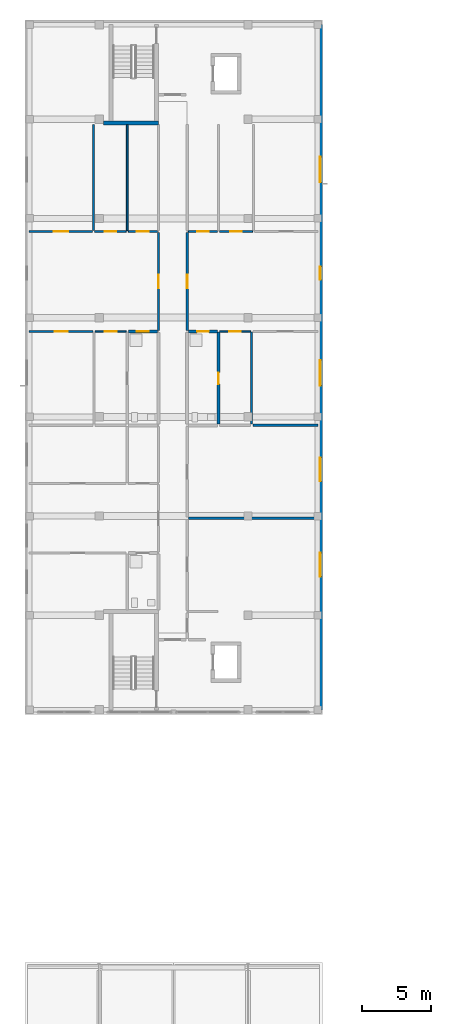
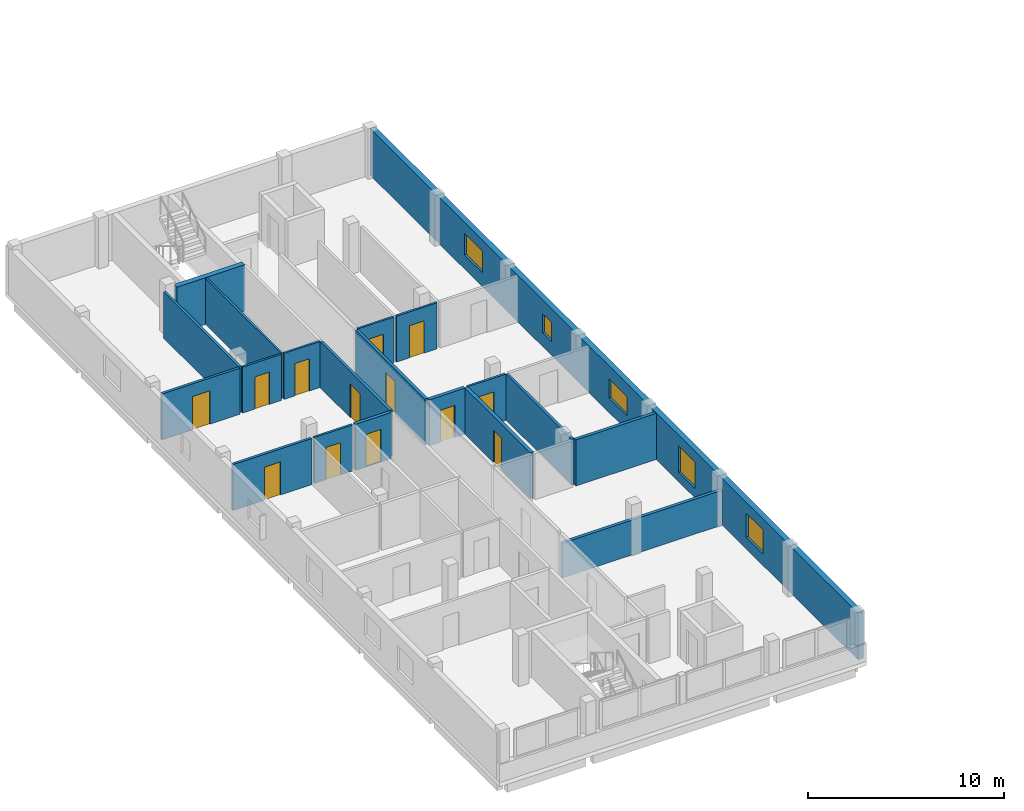
# One storey, part 13 of 35: 20 walls, 13 doors, 5 windows, 18 openings.
"""IFC4 building model written with IfcOpenShell, lengths in metres."""

from ifc_helpers import new_model, si_unit, derived_unit, direction, frame, frame_2d, origin, place, context, subcontext, project, spatial, rectangle, extrude, material, layer, layer_set, type_object, element, fill, save


model = new_model("IFC4")

# Units and contexts
model_context = context("Model", 3, precision=1e-05, world=origin(), true_north=direction((0.0, 1.0)))
body_context = subcontext(model_context, "Body", "Model", "MODEL_VIEW")
ifc_project = project(units=[si_unit("LENGTHUNIT", "METRE"), si_unit("AREAUNIT", "SQUARE_METRE"), si_unit("VOLUMEUNIT", "CUBIC_METRE"), si_unit("PLANEANGLEUNIT", "RADIAN"), si_unit("MASSUNIT", "GRAM", prefix="KILO"), derived_unit("THERMALTRANSMITTANCEUNIT", [(si_unit("MASSUNIT", "GRAM", prefix="KILO"), 1), (si_unit("TIMEUNIT", "SECOND"), -3), (si_unit("THERMODYNAMICTEMPERATUREUNIT", "KELVIN"), -1)])], contexts=[model_context])

# Site, building, storey
site_placement = place(None, origin())
site = spatial("IfcSite", under=ifc_project, at=site_placement, CompositionType="ELEMENT")
building_placement = place(site_placement, origin())
building = spatial("IfcBuilding", under=site, at=building_placement, Name="Ochrekiln Boulevard Commons", CompositionType="ELEMENT")
storey_placement = place(building_placement, frame((0.0, 0.0, 30.97509765625)))
storey = spatial("IfcBuildingStorey", under=building, at=storey_placement, Name="L09", CompositionType="ELEMENT", Elevation=30.97509765625)

# Wall, openings, windows
ifc_material_1 = material(Name="Desert ochre clinker brick masonry ASTM C216 Grade SW", Category="masonry")
ifc_layer_1 = layer(ifc_material_1, 0.320068359375)
ifc_layer_set_1 = layer_set([ifc_layer_1], Name="Desert ochre clinker brick masonry ASTM C216 Grade SW")
wall_type_1 = type_object("IfcWallType", Name="WL-EXT-OCHRE-320", PredefinedType="SOLIDWALL", material=ifc_layer_set_1)
wall_1_placement = place(storey_placement, frame((21.43994140625, 68.719970703125, 0.0), z_axis=(0.0, 0.0, 1.0), x_axis=(0.0, 1.0, 0.0)))
wall_1 = element("IfcWall", 1, at=wall_1_placement, inside=storey, type_object=wall_type_1, Name="Block A L09 E Exterior Wall", PredefinedType="SOLIDWALL", context=body_context, shape_type="SweptSolid", body=[
    extrude(rectangle(XDim=49.760009765625, YDim=0.320068359375, at=frame_2d((24.8798828125, 0.0))), origin(), (0.0, 0.0, 1.0), 2.89990234375),
])
opening_1_placement = place(wall_1_placement, frame((9.68505859375, 0.0, 0.715087890625)))
opening_1 = element("IfcOpeningElement", 2, at=opening_1_placement, cuts=wall_1, Name="Opening W-38", PredefinedType="OPENING", context=body_context, shape_type="SweptSolid", body=[
    extrude(rectangle(XDim=1.719970703125, YDim=1.5, at=frame_2d((0.85986328125, 0.75))), frame((0.0, 0.169921875, 0.0), z_axis=(0.0, -1.0, 0.0), x_axis=(1.0, 0.0, 0.0)), (0.0, 0.0, 1.0), 0.340087890625),
])
opening_2_placement = place(wall_1_placement, frame((16.597900390625, 0.0, 0.56494140625)))
opening_2 = element("IfcOpeningElement", 3, at=opening_2_placement, cuts=wall_1, Name="Opening W-39", PredefinedType="OPENING", context=body_context, shape_type="SweptSolid", body=[
    extrude(rectangle(XDim=1.719970703125, YDim=1.64990234375, at=frame_2d((0.85986328125, 0.824951171875))), frame((0.0, 0.169921875, 0.0), z_axis=(0.0, -1.0, 0.0), x_axis=(1.0, 0.0, 0.0)), (0.0, 0.0, 1.0), 0.340087890625),
])
opening_3_placement = place(wall_1_placement, frame((31.22509765625, 0.0, 0.85009765625)))
opening_3 = element("IfcOpeningElement", 4, at=opening_3_placement, cuts=wall_1, Name="Opening W-01", PredefinedType="OPENING", context=body_context, shape_type="SweptSolid", body=[
    extrude(rectangle(XDim=0.949951171875, YDim=1.199951171875, at=frame_2d((0.47509765625, 0.60009765625))), frame((0.0, 0.169921875, 0.0), z_axis=(0.0, -1.0, 0.0), x_axis=(1.0, 0.0, 0.0)), (0.0, 0.0, 1.0), 0.340087890625),
])
opening_4_placement = place(wall_1_placement, frame((23.552001953125, 0.0, 0.89990234375)))
opening_4 = element("IfcOpeningElement", 5, at=opening_4_placement, cuts=wall_1, Name="Opening W-41", PredefinedType="OPENING", context=body_context, shape_type="SweptSolid", body=[
    extrude(rectangle(XDim=1.85009765625, YDim=1.199951171875, at=frame_2d((0.925048828125, 0.60009765625))), frame((0.0, 0.169921875, 0.0), z_axis=(0.0, -1.0, 0.0), x_axis=(1.0, 0.0, 0.0)), (0.0, 0.0, 1.0), 0.340087890625),
])
opening_5_placement = place(wall_1_placement, frame((38.2900390625, 0.0, 0.864990234375)))
opening_5 = element("IfcOpeningElement", 6, at=opening_5_placement, cuts=wall_1, Name="Opening W-42", PredefinedType="OPENING", context=body_context, shape_type="SweptSolid", body=[
    extrude(rectangle(XDim=1.85009765625, YDim=1.35009765625, at=frame_2d((0.925048828125, 0.675048828125))), frame((0.0, 0.169921875, 0.0), z_axis=(0.0, -1.0, 0.0), x_axis=(1.0, 0.0, 0.0)), (0.0, 0.0, 1.0), 0.340087890625),
])
ifc_material_2 = material(Name="Thermally broken aluminium-clad oak frame", Category="aluminium")
window_type_1 = type_object("IfcWindowType", Name="WIN-EXT-01", PartitioningType="SINGLE_PANEL", PredefinedType="WINDOW", material=ifc_material_2)
window_1_placement = place(opening_3_placement, origin())
window_1 = element("IfcWindow", 7, at=window_1_placement, inside=storey, type_object=window_type_1, Name="Block A L09 Punched Masonry Window W-01", OverallHeight=1.199951171875, OverallWidth=0.949951171875, PartitioningType="SINGLE_PANEL", PredefinedType="WINDOW", context=body_context, shape_type="SweptSolid", body=[
    extrude(rectangle(XDim=0.949951171875, YDim=1.199951171875, at=frame_2d((0.47509765625, 0.60009765625))), frame((0.0, 0.030029296875, 0.0), z_axis=(0.0, -1.0, 0.0), x_axis=(1.0, 0.0, 0.0)), (0.0, 0.0, 1.0), 0.06005859375),
])
fill(opening_3, window_1)
window_type_2 = type_object("IfcWindowType", Name="WIN-EXT-38", PartitioningType="DOUBLE_PANEL_VERTICAL", PredefinedType="WINDOW", material=ifc_material_2)
window_2_placement = place(opening_1_placement, origin())
window_2 = element("IfcWindow", 8, at=window_2_placement, inside=storey, type_object=window_type_2, Name="Block A L09 Punched Masonry Window W-38", OverallHeight=1.5, OverallWidth=1.719970703125, PartitioningType="DOUBLE_PANEL_VERTICAL", PredefinedType="WINDOW", context=body_context, shape_type="SweptSolid", body=[
    extrude(rectangle(XDim=1.719970703125, YDim=1.5, at=frame_2d((0.85986328125, 0.75))), frame((0.0, 0.030029296875, 0.0), z_axis=(0.0, -1.0, 0.0), x_axis=(1.0, 0.0, 0.0)), (0.0, 0.0, 1.0), 0.06005859375),
])
fill(opening_1, window_2)
window_type_3 = type_object("IfcWindowType", Name="WIN-EXT-39", PartitioningType="DOUBLE_PANEL_VERTICAL", PredefinedType="WINDOW", material=ifc_material_2)
window_3_placement = place(opening_2_placement, origin())
window_3 = element("IfcWindow", 9, at=window_3_placement, inside=storey, type_object=window_type_3, Name="Block A L09 Punched Masonry Window W-39", OverallHeight=1.64990234375, OverallWidth=1.719970703125, PartitioningType="DOUBLE_PANEL_VERTICAL", PredefinedType="WINDOW", context=body_context, shape_type="SweptSolid", body=[
    extrude(rectangle(XDim=1.719970703125, YDim=1.64990234375, at=frame_2d((0.85986328125, 0.824951171875))), frame((0.0, 0.030029296875, 0.0), z_axis=(0.0, -1.0, 0.0), x_axis=(1.0, 0.0, 0.0)), (0.0, 0.0, 1.0), 0.06005859375),
])
fill(opening_2, window_3)
window_type_4 = type_object("IfcWindowType", Name="WIN-EXT-41", PartitioningType="DOUBLE_PANEL_VERTICAL", PredefinedType="WINDOW", material=ifc_material_2)
window_4_placement = place(opening_4_placement, origin())
window_4 = element("IfcWindow", 10, at=window_4_placement, inside=storey, type_object=window_type_4, Name="Block A L09 Punched Masonry Window W-41", OverallHeight=1.199951171875, OverallWidth=1.85009765625, PartitioningType="DOUBLE_PANEL_VERTICAL", PredefinedType="WINDOW", context=body_context, shape_type="SweptSolid", body=[
    extrude(rectangle(XDim=1.85009765625, YDim=1.199951171875, at=frame_2d((0.925048828125, 0.60009765625))), frame((0.0, 0.030029296875, 0.0), z_axis=(0.0, -1.0, 0.0), x_axis=(1.0, 0.0, 0.0)), (0.0, 0.0, 1.0), 0.06005859375),
])
fill(opening_4, window_4)
window_type_5 = type_object("IfcWindowType", Name="WIN-EXT-42", PartitioningType="DOUBLE_PANEL_VERTICAL", PredefinedType="WINDOW", material=ifc_material_2)
window_5_placement = place(opening_5_placement, origin())
window_5 = element("IfcWindow", 11, at=window_5_placement, inside=storey, type_object=window_type_5, Name="Block A L09 Punched Masonry Window W-42", OverallHeight=1.35009765625, OverallWidth=1.85009765625, PartitioningType="DOUBLE_PANEL_VERTICAL", PredefinedType="WINDOW", context=body_context, shape_type="SweptSolid", body=[
    extrude(rectangle(XDim=1.85009765625, YDim=1.35009765625, at=frame_2d((0.925048828125, 0.675048828125))), frame((0.0, 0.030029296875, 0.0), z_axis=(0.0, -1.0, 0.0), x_axis=(1.0, 0.0, 0.0)), (0.0, 0.0, 1.0), 0.06005859375),
])
fill(opening_5, window_5)

# Wall, opening, door
ifc_material_3 = material(Name="Moisture-resistant cementitious tile backer wall")
ifc_layer_2 = layer(ifc_material_3, 0.199951171875)
ifc_layer_set_2 = layer_set([ifc_layer_2], Name="Moisture-resistant cementitious tile backer wall")
wall_type_2 = type_object("IfcWallType", Name="WL-PLM-200", PredefinedType="PLUMBINGWALL", material=ifc_layer_set_2)
wall_2_placement = place(storey_placement, frame((7.52001953125, 96.2041015625, 0.0), z_axis=(0.0, 0.0, 1.0), x_axis=(1.0, 0.0, 0.0)))
wall_2 = element("IfcWall", 12, at=wall_2_placement, inside=storey, type_object=wall_type_2, Name="L09 Interior Wall W-PW200", PredefinedType="PLUMBINGWALL", context=body_context, shape_type="SweptSolid", body=[
    extrude(rectangle(XDim=2.10791015625, YDim=0.199951171875, at=frame_2d((1.053955078125, 0.0))), origin(), (0.0, 0.0, 1.0), 2.869873046875),
])
opening_6_placement = place(wall_2_placement, frame((0.60498046875, 0.0, 0.0)))
opening_6 = element("IfcOpeningElement", 13, at=opening_6_placement, cuts=wall_2, Name="Opening D-L09-1108", PredefinedType="OPENING", context=body_context, shape_type="SweptSolid", body=[
    extrude(rectangle(XDim=0.889892578125, YDim=2.030029296875, at=frame_2d((0.44482421875, 1.01513671875))), frame((0.0, 0.10986328125, 0.0), z_axis=(0.0, -1.0, 0.0), x_axis=(1.0, 0.0, 0.0)), (0.0, 0.0, 1.0), 0.219970703125),
])
ifc_material_4 = material(Name="Solid core architectural oak door leaf")
door_type_1 = type_object("IfcDoorType", Name="DR-INT-BTH-089", OperationType="NOTDEFINED", PredefinedType="DOOR", material=ifc_material_4)
door_1_placement = place(opening_6_placement, frame((0.889892578125, 0.0, 0.0), z_axis=(0.0, 0.0, 1.0), x_axis=(-1.0, 0.0, 0.0)))
door_1 = element("IfcDoor", 14, at=door_1_placement, inside=storey, type_object=door_type_1, Name="L09 Interior Door to Apartment Bathroom", OperationType="SINGLE_SWING_RIGHT", OverallHeight=2.030029296875, OverallWidth=0.889892578125, PredefinedType="DOOR", context=body_context, shape_type="SweptSolid", body=[
    extrude(rectangle(XDim=0.889892578125, YDim=2.030029296875, at=frame_2d((0.44482421875, 1.01513671875))), frame((0.0, 0.02490234375, 0.0), z_axis=(0.0, -1.0, 0.0), x_axis=(1.0, 0.0, 0.0)), (0.0, 0.0, 1.0), 0.050048828125),
])
fill(opening_6, door_1)

wall_3_placement = place(storey_placement, frame((11.8720703125, 96.2041015625, 0.0), z_axis=(0.0, 0.0, 1.0), x_axis=(1.0, 0.0, 0.0)))
wall_3 = element("IfcWall", 15, at=wall_3_placement, inside=storey, type_object=wall_type_2, Name="L09 Interior Wall W-PW200", PredefinedType="PLUMBINGWALL", context=body_context, shape_type="SweptSolid", body=[
    extrude(rectangle(XDim=2.10791015625, YDim=0.199951171875, at=frame_2d((1.053955078125, 0.0))), origin(), (0.0, 0.0, 1.0), 2.869873046875),
])
opening_7_placement = place(wall_3_placement, frame((0.6279296875, 0.0, 0.0)))
opening_7 = element("IfcOpeningElement", 16, at=opening_7_placement, cuts=wall_3, Name="Opening D-L09-1115", PredefinedType="OPENING", context=body_context, shape_type="SweptSolid", body=[
    extrude(rectangle(XDim=0.860107421875, YDim=2.0, at=frame_2d((0.43017578125, 1.0))), frame((0.0, 0.10986328125, 0.0), z_axis=(0.0, -1.0, 0.0), x_axis=(1.0, 0.0, 0.0)), (0.0, 0.0, 1.0), 0.219970703125),
])
door_type_2 = type_object("IfcDoorType", Name="DR-INT-BTH-086", OperationType="NOTDEFINED", PredefinedType="DOOR", material=ifc_material_4)
door_2_placement = place(opening_7_placement, frame((0.860107421875, 0.0, 0.0), z_axis=(0.0, 0.0, 1.0), x_axis=(-1.0, 0.0, 0.0)))
door_2 = element("IfcDoor", 17, at=door_2_placement, inside=storey, type_object=door_type_2, Name="L09 Interior Door to Apartment Bathroom", OperationType="SINGLE_SWING_LEFT", OverallHeight=2.0, OverallWidth=0.860107421875, PredefinedType="DOOR", context=body_context, shape_type="SweptSolid", body=[
    extrude(rectangle(XDim=0.860107421875, YDim=2.0, at=frame_2d((0.43017578125, 1.0))), frame((0.0, 0.02490234375, 0.0), z_axis=(0.0, -1.0, 0.0), x_axis=(1.0, 0.0, 0.0)), (0.0, 0.0, 1.0), 0.050048828125),
])
fill(opening_7, door_2)

wall_4_placement = place(storey_placement, frame((14.06005859375, 89.466064453125, 0.0), z_axis=(0.0, 0.0, 1.0), x_axis=(0.0, 1.0, 0.0)))
wall_4 = element("IfcWall", 18, at=wall_4_placement, inside=storey, type_object=wall_type_2, Name="L09 Interior Wall W-PW200", PredefinedType="PLUMBINGWALL", context=body_context, shape_type="SweptSolid", body=[
    extrude(rectangle(XDim=6.677978515625, YDim=0.199951171875, at=frame_2d((3.3388671875, 0.0))), origin(), (0.0, 0.0, 1.0), 2.869873046875),
])
opening_8_placement = place(wall_4_placement, frame((2.904052734375, 0.0, 0.0)))
opening_8 = element("IfcOpeningElement", 19, at=opening_8_placement, cuts=wall_4, Name="Opening D-L09-1121", PredefinedType="OPENING", context=body_context, shape_type="SweptSolid", body=[
    extrude(rectangle(XDim=0.85009765625, YDim=2.010009765625, at=frame_2d((0.425048828125, 1.0048828125))), frame((0.0, 0.10986328125, 0.0), z_axis=(0.0, -1.0, 0.0), x_axis=(1.0, 0.0, 0.0)), (0.0, 0.0, 1.0), 0.219970703125),
])
door_type_3 = type_object("IfcDoorType", Name="DR-INT-KIT-085", OperationType="NOTDEFINED", PredefinedType="DOOR", material=ifc_material_4)
door_3_placement = place(opening_8_placement, origin())
door_3 = element("IfcDoor", 20, at=door_3_placement, inside=storey, type_object=door_type_3, Name="L09 Interior Door to Apartment Bathroom", OperationType="SINGLE_SWING_LEFT", OverallHeight=2.010009765625, OverallWidth=0.85009765625, PredefinedType="DOOR", context=body_context, shape_type="SweptSolid", body=[
    extrude(rectangle(XDim=0.85009765625, YDim=2.010009765625, at=frame_2d((0.425048828125, 1.0048828125))), frame((0.0, 0.02490234375, 0.0), z_axis=(0.0, -1.0, 0.0), x_axis=(1.0, 0.0, 0.0)), (0.0, 0.0, 1.0), 0.050048828125),
])
fill(opening_8, door_3)

ifc_material_5 = material(Name="Fire-rated Type X gypsum board on steel studs", Category="steel")
ifc_layer_3 = layer(ifc_material_5, 0.1650390625)
ifc_layer_set_3 = layer_set([ifc_layer_3], Name="Fire-rated Type X gypsum board on steel studs")
wall_type_3 = type_object("IfcWallType", Name="WL-PT-CORR-165", PredefinedType="PARTITIONING", material=ifc_layer_set_3)
wall_5_placement = place(storey_placement, frame((9.7099609375, 96.283935546875, 0.0), z_axis=(0.0, 0.0, 1.0), x_axis=(0.0, 1.0, 0.0)))
wall_5 = element("IfcWall", 21, at=wall_5_placement, inside=storey, type_object=wall_type_3, Name="L09 Interior Wall W-PC165", PredefinedType="PARTITIONING", context=body_context, shape_type="SweptSolid", body=[
    extrude(rectangle(XDim=7.086181640625, YDim=0.1650390625, at=frame_2d((3.54296875, 0.0))), origin(), (0.0, 0.0, 1.0), 2.869873046875),
])
opening_9_placement = place(wall_5_placement, frame((3.052978515625, 0.0, 0.0)))
opening_9 = element("IfcOpeningElement", 22, at=opening_9_placement, cuts=wall_5, Name="Opening D-L09-1100", PredefinedType="OPENING", context=body_context, shape_type="SweptSolid", body=[
    extrude(rectangle(XDim=0.97998046875, YDim=2.080078125, at=frame_2d((0.489990234375, 1.0400390625))), frame((0.0, 0.092529296875, 0.0), z_axis=(0.0, -1.0, 0.0), x_axis=(1.0, 0.0, 0.0)), (0.0, 0.0, 1.0), 0.18505859375),
])
door_type_4 = type_object("IfcDoorType", Name="DR-APT-60", OperationType="NOTDEFINED", PredefinedType="DOOR", material=ifc_material_4)
door_4_placement = place(opening_9_placement, origin())
door_4 = element("IfcDoor", 23, at=door_4_placement, inside=storey, type_object=door_type_4, Name="L09 Interior Door to Two-Bedroom Apartment Living Room", OperationType="SINGLE_SWING_RIGHT", OverallHeight=2.080078125, OverallWidth=0.97998046875, PredefinedType="DOOR", context=body_context, shape_type="SweptSolid", body=[
    extrude(rectangle(XDim=0.97998046875, YDim=2.080078125, at=frame_2d((0.489990234375, 1.0400390625))), frame((0.0, 0.02490234375, 0.0), z_axis=(0.0, -1.0, 0.0), x_axis=(1.0, 0.0, 0.0)), (0.0, 0.0, 1.0), 0.050048828125),
])
fill(opening_9, door_4)

wall_6_placement = place(storey_placement, frame((11.7900390625, 96.283935546875, 0.0), z_axis=(0.0, 0.0, 1.0), x_axis=(0.0, 1.0, 0.0)))
wall_6 = element("IfcWall", 24, at=wall_6_placement, inside=storey, type_object=wall_type_3, Name="L09 Interior Wall W-PC165", PredefinedType="PARTITIONING", context=body_context, shape_type="SweptSolid", body=[
    extrude(rectangle(XDim=7.086181640625, YDim=0.1650390625, at=frame_2d((3.54296875, 0.0))), origin(), (0.0, 0.0, 1.0), 2.869873046875),
])
opening_10_placement = place(wall_6_placement, frame((3.052978515625, 0.0, 0.0)))
opening_10 = element("IfcOpeningElement", 25, at=opening_10_placement, cuts=wall_6, Name="Opening D-L09-1103", PredefinedType="OPENING", context=body_context, shape_type="SweptSolid", body=[
    extrude(rectangle(XDim=0.97998046875, YDim=2.080078125, at=frame_2d((0.489990234375, 1.0400390625))), frame((0.0, 0.092529296875, 0.0), z_axis=(0.0, -1.0, 0.0), x_axis=(1.0, 0.0, 0.0)), (0.0, 0.0, 1.0), 0.18505859375),
])
door_5_placement = place(opening_10_placement, frame((0.97998046875, 0.0, 0.0), z_axis=(0.0, 0.0, 1.0), x_axis=(-1.0, 0.0, 0.0)))
door_5 = element("IfcDoor", 26, at=door_5_placement, inside=storey, type_object=door_type_4, Name="L09 Interior Door to Two-Bedroom Apartment Living Room", OperationType="SINGLE_SWING_LEFT", OverallHeight=2.080078125, OverallWidth=0.97998046875, PredefinedType="DOOR", context=body_context, shape_type="SweptSolid", body=[
    extrude(rectangle(XDim=0.97998046875, YDim=2.080078125, at=frame_2d((0.489990234375, 1.0400390625))), frame((0.0, 0.02490234375, 0.0), z_axis=(0.0, -1.0, 0.0), x_axis=(1.0, 0.0, 0.0)), (0.0, 0.0, 1.0), 0.050048828125),
])
fill(opening_10, door_5)

# Walls
ifc_layer_4 = layer(ifc_material_5, 0.179931640625)
ifc_layer_set_4 = layer_set([ifc_layer_4], Name="Fire-rated Type X gypsum board on steel studs")
wall_type_4 = type_object("IfcWallType", Name="WL-PT-DEM-180", PredefinedType="PARTITIONING", material=ifc_layer_set_4)
wall_7_placement = place(storey_placement, frame((11.8720703125, 82.64306640625, 0.0), z_axis=(0.0, 0.0, 1.0), x_axis=(1.0, 0.0, 0.0)))
element("IfcWall", 27, at=wall_7_placement, inside=storey, type_object=wall_type_4, Name="L09 Interior Wall W-PD180", PredefinedType="PARTITIONING", context=body_context, shape_type="SweptSolid", body=[
    extrude(rectangle(XDim=9.407958984375, YDim=0.179931640625, at=frame_2d((4.7041015625, 0.0))), origin(), (0.0, 0.0, 1.0), 2.169921875),
])
wall_8_placement = place(storey_placement, frame((16.550048828125, 89.3759765625, 0.0), z_axis=(0.0, 0.0, 1.0), x_axis=(1.0, 0.0, 0.0)))
element("IfcWall", 28, at=wall_8_placement, inside=storey, type_object=wall_type_4, Name="L09 Interior Wall W-PD180", PredefinedType="PARTITIONING", context=body_context, shape_type="SweptSolid", body=[
    extrude(rectangle(XDim=4.72998046875, YDim=0.179931640625, at=frame_2d((2.364990234375, 0.0))), origin(), (0.0, 0.0, 1.0), 2.869873046875),
])

# Wall, opening, door
ifc_layer_5 = layer(ifc_material_5, 0.1201171875)
ifc_layer_set_5 = layer_set([ifc_layer_5], Name="Fire-rated Type X gypsum board on steel studs")
wall_type_5 = type_object("IfcWallType", Name="WL-PT-LGT-120", PredefinedType="PARTITIONING", material=ifc_layer_set_5)
wall_9_placement = place(storey_placement, frame((7.52001953125, 103.449951171875, 0.0), z_axis=(0.0, 0.0, 1.0), x_axis=(1.0, 0.0, 0.0)))
wall_9 = element("IfcWall", 29, at=wall_9_placement, inside=storey, type_object=wall_type_5, Name="L09 Interior Wall W-PL120", PredefinedType="PARTITIONING", context=body_context, shape_type="SweptSolid", body=[
    extrude(rectangle(XDim=2.10791015625, YDim=0.1201171875, at=frame_2d((1.053955078125, 0.0))), origin(), (0.0, 0.0, 1.0), 2.869873046875),
])
opening_11_placement = place(wall_9_placement, frame((0.625, 0.0, 0.0)))
opening_11 = element("IfcOpeningElement", 30, at=opening_11_placement, cuts=wall_9, Name="Opening D-L09-1109", PredefinedType="OPENING", context=body_context, shape_type="SweptSolid", body=[
    extrude(rectangle(XDim=0.85009765625, YDim=2.010009765625, at=frame_2d((0.425048828125, 1.0048828125))), frame((0.0, 0.070068359375, 0.0), z_axis=(0.0, -1.0, 0.0), x_axis=(1.0, 0.0, 0.0)), (0.0, 0.0, 1.0), 0.14013671875),
])
door_6_placement = place(opening_11_placement, origin())
door_6 = element("IfcDoor", 31, at=door_6_placement, inside=storey, type_object=door_type_3, Name="L09 Interior Door to Apartment Kitchen", OperationType="SINGLE_SWING_LEFT", OverallHeight=2.010009765625, OverallWidth=0.85009765625, PredefinedType="DOOR", context=body_context, shape_type="SweptSolid", body=[
    extrude(rectangle(XDim=0.85009765625, YDim=2.010009765625, at=frame_2d((0.425048828125, 1.0048828125))), frame((0.0, 0.02490234375, 0.0), z_axis=(0.0, -1.0, 0.0), x_axis=(1.0, 0.0, 0.0)), (0.0, 0.0, 1.0), 0.050048828125),
])
fill(opening_11, door_6)

wall_10_placement = place(storey_placement, frame((5.110107421875, 96.2041015625, 0.0), z_axis=(0.0, 0.0, 1.0), x_axis=(1.0, 0.0, 0.0)))
wall_10 = element("IfcWall", 32, at=wall_10_placement, inside=storey, type_object=wall_type_5, Name="L09 Interior Wall W-PL120", PredefinedType="PARTITIONING", context=body_context, shape_type="SweptSolid", body=[
    extrude(rectangle(XDim=2.25, YDim=0.1201171875, at=frame_2d((1.125, 0.0))), origin(), (0.0, 0.0, 1.0), 2.869873046875),
])
opening_12_placement = place(wall_10_placement, frame((0.699951171875, 0.0, 0.0)))
opening_12 = element("IfcOpeningElement", 33, at=opening_12_placement, cuts=wall_10, Name="Opening D-L09-1111", PredefinedType="OPENING", context=body_context, shape_type="SweptSolid", body=[
    extrude(rectangle(XDim=0.85009765625, YDim=2.010009765625, at=frame_2d((0.425048828125, 1.0048828125))), frame((0.0, 0.070068359375, 0.0), z_axis=(0.0, -1.0, 0.0), x_axis=(1.0, 0.0, 0.0)), (0.0, 0.0, 1.0), 0.14013671875),
])
door_7_placement = place(opening_12_placement, frame((0.85009765625, 0.0, 0.0), z_axis=(0.0, 0.0, 1.0), x_axis=(-1.0, 0.0, 0.0)))
door_7 = element("IfcDoor", 34, at=door_7_placement, inside=storey, type_object=door_type_3, Name="L09 Interior Door to Apartment Walk-In Wardrobe", OperationType="SINGLE_SWING_LEFT", OverallHeight=2.010009765625, OverallWidth=0.85009765625, PredefinedType="DOOR", context=body_context, shape_type="SweptSolid", body=[
    extrude(rectangle(XDim=0.85009765625, YDim=2.010009765625, at=frame_2d((0.425048828125, 1.0048828125))), frame((0.0, 0.02490234375, 0.0), z_axis=(0.0, -1.0, 0.0), x_axis=(1.0, 0.0, 0.0)), (0.0, 0.0, 1.0), 0.050048828125),
])
fill(opening_12, door_7)

wall_11_placement = place(storey_placement, frame((5.072998046875, 103.449951171875, 0.0), z_axis=(0.0, 0.0, 1.0), x_axis=(1.0, 0.0, 0.0)))
wall_11 = element("IfcWall", 35, at=wall_11_placement, inside=storey, type_object=wall_type_5, Name="L09 Interior Wall W-PL120", PredefinedType="PARTITIONING", context=body_context, shape_type="SweptSolid", body=[
    extrude(rectangle(XDim=2.287109375, YDim=0.1201171875, at=frame_2d((1.1435546875, 0.0))), origin(), (0.0, 0.0, 1.0), 2.869873046875),
])
opening_13_placement = place(wall_11_placement, frame((0.718017578125, 0.0, 0.0)))
opening_13 = element("IfcOpeningElement", 36, at=opening_13_placement, cuts=wall_11, Name="Opening D-L09-1113", PredefinedType="OPENING", context=body_context, shape_type="SweptSolid", body=[
    extrude(rectangle(XDim=0.85009765625, YDim=2.010009765625, at=frame_2d((0.425048828125, 1.0048828125))), frame((0.0, 0.070068359375, 0.0), z_axis=(0.0, -1.0, 0.0), x_axis=(1.0, 0.0, 0.0)), (0.0, 0.0, 1.0), 0.14013671875),
])
door_8_placement = place(opening_13_placement, origin())
door_8 = element("IfcDoor", 37, at=door_8_placement, inside=storey, type_object=door_type_3, Name="L09 Interior Door to Apartment Walk-In Wardrobe", OperationType="SINGLE_SWING_LEFT", OverallHeight=2.010009765625, OverallWidth=0.85009765625, PredefinedType="DOOR", context=body_context, shape_type="SweptSolid", body=[
    extrude(rectangle(XDim=0.85009765625, YDim=2.010009765625, at=frame_2d((0.425048828125, 1.0048828125))), frame((0.0, 0.02490234375, 0.0), z_axis=(0.0, -1.0, 0.0), x_axis=(1.0, 0.0, 0.0)), (0.0, 0.0, 1.0), 0.050048828125),
])
fill(opening_13, door_8)

# Wall
wall_12_placement = place(storey_placement, frame((7.43994140625, 103.510009765625, 0.0), z_axis=(0.0, 0.0, 1.0), x_axis=(0.0, 1.0, 0.0)))
element("IfcWall", 38, at=wall_12_placement, inside=storey, type_object=wall_type_5, Name="L09 Interior Wall W-PL120", PredefinedType="PARTITIONING", context=body_context, shape_type="SweptSolid", body=[
    extrude(rectangle(XDim=7.68994140625, YDim=0.1201171875, at=frame_2d((3.844970703125, 0.0))), origin(), (0.0, 0.0, 1.0), 2.869873046875),
])

# Wall, opening, door
wall_13_placement = place(storey_placement, frame((11.8720703125, 103.449951171875, 0.0), z_axis=(0.0, 0.0, 1.0), x_axis=(1.0, 0.0, 0.0)))
wall_13 = element("IfcWall", 39, at=wall_13_placement, inside=storey, type_object=wall_type_5, Name="L09 Interior Wall W-PL120", PredefinedType="PARTITIONING", context=body_context, shape_type="SweptSolid", body=[
    extrude(rectangle(XDim=2.10791015625, YDim=0.1201171875, at=frame_2d((1.053955078125, 0.0))), origin(), (0.0, 0.0, 1.0), 2.869873046875),
])
opening_14_placement = place(wall_13_placement, frame((0.633056640625, 0.0, 0.0)))
opening_14 = element("IfcOpeningElement", 40, at=opening_14_placement, cuts=wall_13, Name="Opening D-L09-1116", PredefinedType="OPENING", context=body_context, shape_type="SweptSolid", body=[
    extrude(rectangle(XDim=0.85009765625, YDim=2.010009765625, at=frame_2d((0.425048828125, 1.0048828125))), frame((0.0, 0.070068359375, 0.0), z_axis=(0.0, -1.0, 0.0), x_axis=(1.0, 0.0, 0.0)), (0.0, 0.0, 1.0), 0.14013671875),
])
door_9_placement = place(opening_14_placement, origin())
door_9 = element("IfcDoor", 41, at=door_9_placement, inside=storey, type_object=door_type_3, Name="L09 Interior Door to Apartment Kitchen", OperationType="SINGLE_SWING_RIGHT", OverallHeight=2.010009765625, OverallWidth=0.85009765625, PredefinedType="DOOR", context=body_context, shape_type="SweptSolid", body=[
    extrude(rectangle(XDim=0.85009765625, YDim=2.010009765625, at=frame_2d((0.425048828125, 1.0048828125))), frame((0.0, 0.02490234375, 0.0), z_axis=(0.0, -1.0, 0.0), x_axis=(1.0, 0.0, 0.0)), (0.0, 0.0, 1.0), 0.050048828125),
])
fill(opening_14, door_9)

wall_14_placement = place(storey_placement, frame((14.139892578125, 96.2041015625, 0.0), z_axis=(0.0, 0.0, 1.0), x_axis=(1.0, 0.0, 0.0)))
wall_14 = element("IfcWall", 42, at=wall_14_placement, inside=storey, type_object=wall_type_5, Name="L09 Interior Wall W-PL120", PredefinedType="PARTITIONING", context=body_context, shape_type="SweptSolid", body=[
    extrude(rectangle(XDim=2.25, YDim=0.1201171875, at=frame_2d((1.125, 0.0))), origin(), (0.0, 0.0, 1.0), 2.869873046875),
])
opening_15_placement = place(wall_14_placement, frame((0.699951171875, 0.0, 0.0)))
opening_15 = element("IfcOpeningElement", 43, at=opening_15_placement, cuts=wall_14, Name="Opening D-L09-1118", PredefinedType="OPENING", context=body_context, shape_type="SweptSolid", body=[
    extrude(rectangle(XDim=0.85009765625, YDim=2.010009765625, at=frame_2d((0.425048828125, 1.0048828125))), frame((0.0, 0.070068359375, 0.0), z_axis=(0.0, -1.0, 0.0), x_axis=(1.0, 0.0, 0.0)), (0.0, 0.0, 1.0), 0.14013671875),
])
door_10_placement = place(opening_15_placement, frame((0.85009765625, 0.0, 0.0), z_axis=(0.0, 0.0, 1.0), x_axis=(-1.0, 0.0, 0.0)))
door_10 = element("IfcDoor", 44, at=door_10_placement, inside=storey, type_object=door_type_3, Name="L09 Interior Door to Apartment Walk-In Wardrobe", OperationType="SINGLE_SWING_RIGHT", OverallHeight=2.010009765625, OverallWidth=0.85009765625, PredefinedType="DOOR", context=body_context, shape_type="SweptSolid", body=[
    extrude(rectangle(XDim=0.85009765625, YDim=2.010009765625, at=frame_2d((0.425048828125, 1.0048828125))), frame((0.0, 0.02490234375, 0.0), z_axis=(0.0, -1.0, 0.0), x_axis=(1.0, 0.0, 0.0)), (0.0, 0.0, 1.0), 0.050048828125),
])
fill(opening_15, door_10)

wall_15_placement = place(storey_placement, frame((14.139892578125, 103.449951171875, 0.0), z_axis=(0.0, 0.0, 1.0), x_axis=(1.0, 0.0, 0.0)))
wall_15 = element("IfcWall", 45, at=wall_15_placement, inside=storey, type_object=wall_type_5, Name="L09 Interior Wall W-PL120", PredefinedType="PARTITIONING", context=body_context, shape_type="SweptSolid", body=[
    extrude(rectangle(XDim=2.38720703125, YDim=0.1201171875, at=frame_2d((1.193603515625, 0.0))), origin(), (0.0, 0.0, 1.0), 2.869873046875),
])
opening_16_placement = place(wall_15_placement, frame((0.76904296875, 0.0, 0.0)))
opening_16 = element("IfcOpeningElement", 46, at=opening_16_placement, cuts=wall_15, Name="Opening D-L09-1120", PredefinedType="OPENING", context=body_context, shape_type="SweptSolid", body=[
    extrude(rectangle(XDim=0.85009765625, YDim=2.010009765625, at=frame_2d((0.425048828125, 1.0048828125))), frame((0.0, 0.070068359375, 0.0), z_axis=(0.0, -1.0, 0.0), x_axis=(1.0, 0.0, 0.0)), (0.0, 0.0, 1.0), 0.14013671875),
])
door_11_placement = place(opening_16_placement, origin())
door_11 = element("IfcDoor", 47, at=door_11_placement, inside=storey, type_object=door_type_3, Name="L09 Interior Door to Apartment Walk-In Wardrobe", OperationType="SINGLE_SWING_RIGHT", OverallHeight=2.010009765625, OverallWidth=0.85009765625, PredefinedType="DOOR", context=body_context, shape_type="SweptSolid", body=[
    extrude(rectangle(XDim=0.85009765625, YDim=2.010009765625, at=frame_2d((0.425048828125, 1.0048828125))), frame((0.0, 0.02490234375, 0.0), z_axis=(0.0, -1.0, 0.0), x_axis=(1.0, 0.0, 0.0)), (0.0, 0.0, 1.0), 0.050048828125),
])
fill(opening_16, door_11)

ifc_layer_6 = layer(ifc_material_5, 0.14990234375)
ifc_layer_set_6 = layer_set([ifc_layer_6], Name="Fire-rated Type X gypsum board on steel studs")
wall_type_6 = type_object("IfcWallType", Name="WL-PT-STD-150", PredefinedType="PARTITIONING", material=ifc_layer_set_6)
wall_16_placement = place(storey_placement, frame((0.320068359375, 96.2041015625, 0.0), z_axis=(0.0, 0.0, 1.0), x_axis=(1.0, 0.0, 0.0)))
wall_16 = element("IfcWall", 48, at=wall_16_placement, inside=storey, type_object=wall_type_6, Name="L09 Interior Wall W-PS150", PredefinedType="PARTITIONING", context=body_context, shape_type="SweptSolid", body=[
    extrude(rectangle(XDim=4.6298828125, YDim=0.14990234375, at=frame_2d((2.31494140625, 0.0))), origin(), (0.0, 0.0, 1.0), 2.869873046875),
])
opening_17_placement = place(wall_16_placement, frame((1.860107421875, 0.0, 0.0)))
opening_17 = element("IfcOpeningElement", 49, at=opening_17_placement, cuts=wall_16, Name="Opening D-L09-1110", PredefinedType="OPENING", context=body_context, shape_type="SweptSolid", body=[
    extrude(rectangle(XDim=0.93994140625, YDim=2.06005859375, at=frame_2d((0.469970703125, 1.030029296875))), frame((0.0, 0.0849609375, 0.0), z_axis=(0.0, -1.0, 0.0), x_axis=(1.0, 0.0, 0.0)), (0.0, 0.0, 1.0), 0.169921875),
])
door_type_5 = type_object("IfcDoorType", Name="DR-INT-BED-094", OperationType="NOTDEFINED", PredefinedType="DOOR", material=ifc_material_4)
door_12_placement = place(opening_17_placement, frame((0.93994140625, 0.0, 0.0), z_axis=(0.0, 0.0, 1.0), x_axis=(-1.0, 0.0, 0.0)))
door_12 = element("IfcDoor", 50, at=door_12_placement, inside=storey, type_object=door_type_5, Name="L09 Interior Door to Primary Apartment Bedroom", OperationType="SINGLE_SWING_RIGHT", OverallHeight=2.06005859375, OverallWidth=0.93994140625, PredefinedType="DOOR", context=body_context, shape_type="SweptSolid", body=[
    extrude(rectangle(XDim=0.93994140625, YDim=2.06005859375, at=frame_2d((0.469970703125, 1.030029296875))), frame((0.0, 0.02490234375, 0.0), z_axis=(0.0, -1.0, 0.0), x_axis=(1.0, 0.0, 0.0)), (0.0, 0.0, 1.0), 0.050048828125),
])
fill(opening_17, door_12)

wall_17_placement = place(storey_placement, frame((0.320068359375, 103.449951171875, 0.0), z_axis=(0.0, 0.0, 1.0), x_axis=(1.0, 0.0, 0.0)))
wall_17 = element("IfcWall", 51, at=wall_17_placement, inside=storey, type_object=wall_type_6, Name="L09 Interior Wall W-PS150", PredefinedType="PARTITIONING", context=body_context, shape_type="SweptSolid", body=[
    extrude(rectangle(XDim=4.593017578125, YDim=0.14990234375, at=frame_2d((2.29638671875, 0.0))), origin(), (0.0, 0.0, 1.0), 2.869873046875),
])
opening_18_placement = place(wall_17_placement, frame((1.7919921875, 0.0, 0.0)))
opening_18 = element("IfcOpeningElement", 52, at=opening_18_placement, cuts=wall_17, Name="Opening D-L09-1112", PredefinedType="OPENING", context=body_context, shape_type="SweptSolid", body=[
    extrude(rectangle(XDim=1.0400390625, YDim=2.080078125, at=frame_2d((0.52001953125, 1.0400390625))), frame((0.0, 0.0849609375, 0.0), z_axis=(0.0, -1.0, 0.0), x_axis=(1.0, 0.0, 0.0)), (0.0, 0.0, 1.0), 0.169921875),
])
door_type_6 = type_object("IfcDoorType", Name="DR-INT-BED-104", OperationType="NOTDEFINED", PredefinedType="DOOR", material=ifc_material_4)
door_13_placement = place(opening_18_placement, origin())
door_13 = element("IfcDoor", 53, at=door_13_placement, inside=storey, type_object=door_type_6, Name="L09 Interior Door to Secondary Apartment Bedroom", OperationType="SINGLE_SWING_RIGHT", OverallHeight=2.080078125, OverallWidth=1.0400390625, PredefinedType="DOOR", context=body_context, shape_type="SweptSolid", body=[
    extrude(rectangle(XDim=1.0400390625, YDim=2.080078125, at=frame_2d((0.52001953125, 1.0400390625))), frame((0.0, 0.02490234375, 0.0), z_axis=(0.0, -1.0, 0.0), x_axis=(1.0, 0.0, 0.0)), (0.0, 0.0, 1.0), 0.050048828125),
])
fill(opening_18, door_13)

# Walls
wall_18_placement = place(storey_placement, frame((4.992919921875, 103.510009765625, 0.0), z_axis=(0.0, 0.0, 1.0), x_axis=(0.0, 1.0, 0.0)))
element("IfcWall", 54, at=wall_18_placement, inside=storey, type_object=wall_type_6, Name="L09 Interior Wall W-PS150", PredefinedType="PARTITIONING", context=body_context, shape_type="SweptSolid", body=[
    extrude(rectangle(XDim=7.68994140625, YDim=0.14990234375, at=frame_2d((3.844970703125, 0.0))), origin(), (0.0, 0.0, 1.0), 2.869873046875),
])
wall_19_placement = place(storey_placement, frame((16.469970703125, 89.466064453125, 0.0), z_axis=(0.0, 0.0, 1.0), x_axis=(0.0, 1.0, 0.0)))
element("IfcWall", 55, at=wall_19_placement, inside=storey, type_object=wall_type_6, Name="L09 Interior Wall W-PS150", PredefinedType="PARTITIONING", context=body_context, shape_type="SweptSolid", body=[
    extrude(rectangle(XDim=6.677978515625, YDim=0.14990234375, at=frame_2d((3.3388671875, 0.0))), origin(), (0.0, 0.0, 1.0), 2.869873046875),
])
ifc_material_6 = material(Name="Concrete C40/50", Category="concrete")
ifc_layer_7 = layer(ifc_material_6, 0.300048828125)
ifc_layer_set_7 = layer_set([ifc_layer_7], Name="Concrete C40/50")
wall_type_7 = type_object("IfcWallType", Name="WL-SH-300", PredefinedType="SHEAR", material=ifc_layer_set_7)
wall_20_placement = place(storey_placement, frame((5.699951171875, 111.330078125, 0.0), z_axis=(0.0, 0.0, 1.0), x_axis=(1.0, 0.0, 0.0)))
element("IfcWall", 56, at=wall_20_placement, inside=storey, type_object=wall_type_7, Name="Stair ST-A2 L09 Core Shear Wall S", PredefinedType="SHEAR", context=body_context, shape_type="SweptSolid", body=[
    extrude(rectangle(XDim=4.0, YDim=0.300048828125, at=frame_2d((2.0, 0.0))), origin(), (0.0, 0.0, 1.0), 2.89990234375),
])

save(model, "model.ifc")
